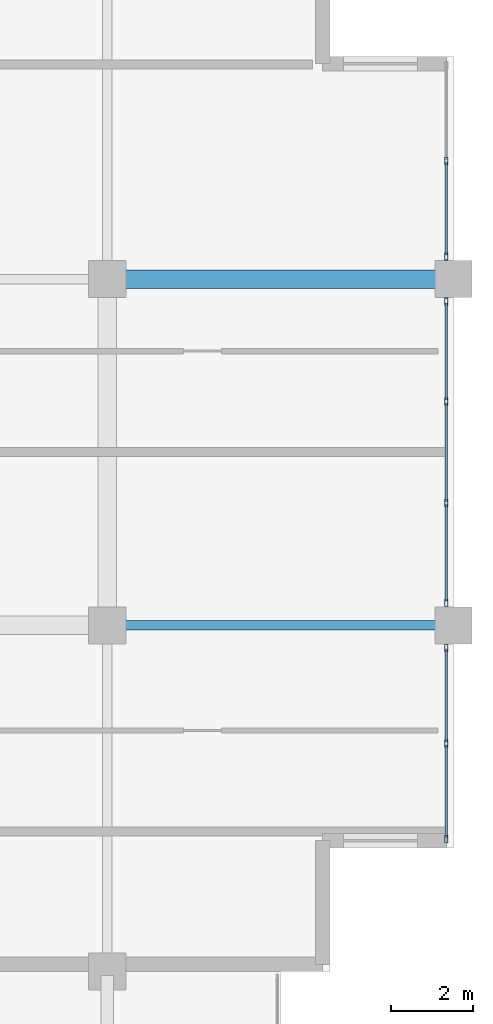
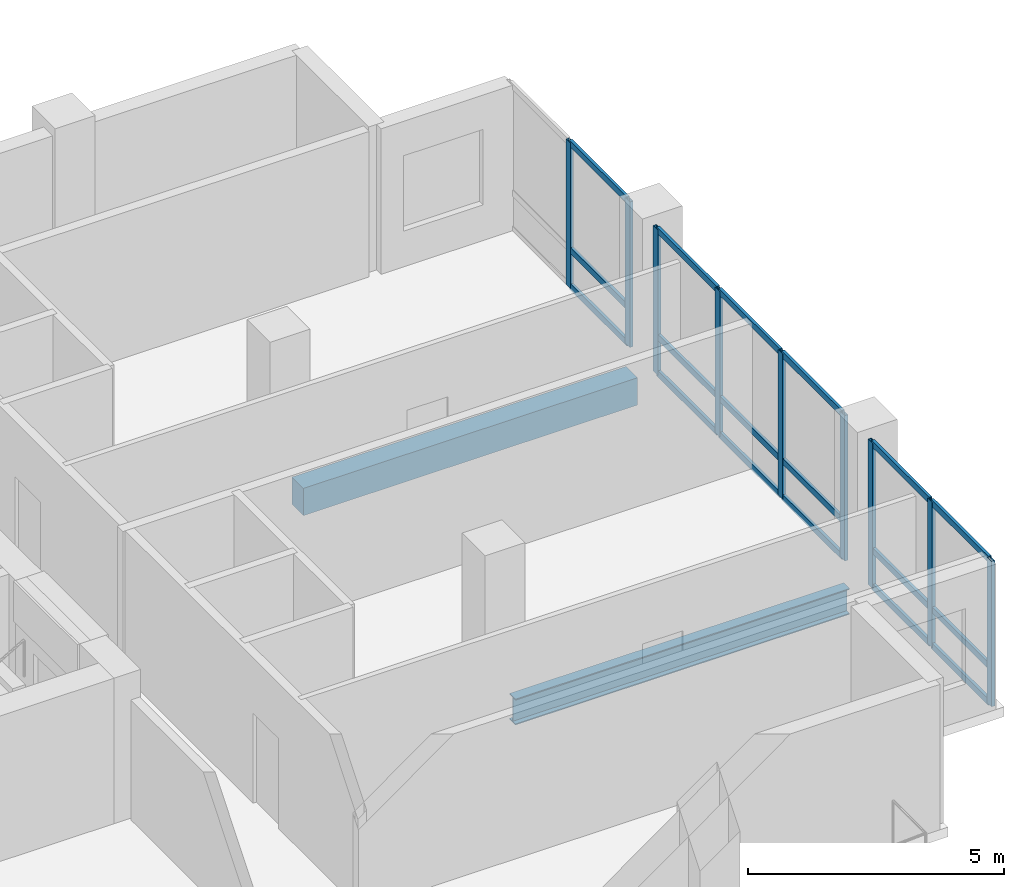
# One storey, part 3 of 16: 27 members, 2 beams, 3 elements without a shape of their own.
"""IFC4 building model written with IfcOpenShell, lengths in metres."""

import ifcopenshell
import ifcopenshell.guid

model = None  # the IFC model being written
_history = None  # IfcOwnerHistory: only IFC2X3 demands one
_inside = {}  # id of a spatial element -> (the spatial element, [elements in it])
_under = {}  # id of a project, library or spatial element -> (it, [spatial elements below it])
_declared = {}  # id of a project -> (the project, [libraries it declares])
_typed = {}  # id of a type object -> (the type object, [elements of that type])
_made_of = {}  # id of a material, layer set ... -> (it, [elements and type objects made of it])


def new_model(schema):
    """Start an empty IFC model of exactly this schema.

    Asked for "IFC4X3", IfcOpenShell would pick the latest addendum, in which some entities
    have other attributes; the version numbers below select the first issue.
    IFC2X3 requires an IfcOwnerHistory on every rooted entity: one is made here for all.
    """
    global model, _history
    if schema == "IFC4X3":
        model = ifcopenshell.file(schema_version=(4, 3, 0, 0))
    else:
        model = ifcopenshell.file(schema=schema)
    _inside.clear()
    _under.clear()
    _declared.clear()
    _typed.clear()
    _made_of.clear()
    _history = None
    if model.schema == "IFC2X3":
        org = make("IfcOrganization", Name="unknown")
        user = make(
            "IfcPersonAndOrganization",
            ThePerson=make("IfcPerson", FamilyName="unknown"),
            TheOrganization=org,
        )
        app = make(
            "IfcApplication",
            ApplicationDeveloper=org,
            Version="unknown",
            ApplicationFullName="unknown",
            ApplicationIdentifier="unknown",
        )
        _history = make(
            "IfcOwnerHistory",
            OwningUser=user,
            OwningApplication=app,
            ChangeAction="ADDED",
            CreationDate=0,
        )
    return model


def make(cls, **values):
    """One entity of the class cls with the attributes given. An attribute that is None is left unset."""
    return model.create_entity(
        cls, **{name: value for name, value in values.items() if value is not None}
    )


def rooted(cls, **values):
    """An entity with a GlobalId (a new one), such as an element, a storey or a relation."""
    return make(cls, GlobalId=ifcopenshell.guid.new(), OwnerHistory=_history, **values)


def si_unit(unit_type, name, prefix=None):
    """IfcSIUnit, for example si_unit("LENGTHUNIT", "METRE", prefix="MILLI")."""
    return make("IfcSIUnit", UnitType=unit_type, Prefix=prefix, Name=name)


def assignment(units):
    """IfcUnitAssignment: the units of a project."""
    return None if units is None else make("IfcUnitAssignment", Units=units)


def point(xyz):
    """IfcCartesianPoint."""
    return None if xyz is None else make("IfcCartesianPoint", Coordinates=xyz)


def direction(xyz):
    """IfcDirection."""
    return None if xyz is None else make("IfcDirection", DirectionRatios=xyz)


def frame(location, z_axis=None, x_axis=None):
    """IfcAxis2Placement3D, a coordinate frame: its origin and axes. An axis left out is left unset."""
    return make(
        "IfcAxis2Placement3D",
        Location=point(location),
        Axis=direction(z_axis),
        RefDirection=direction(x_axis),
    )


def frame_2d(location, x_axis=None):
    """IfcAxis2Placement2D, a coordinate frame in the plane: its origin and x axis."""
    return make(
        "IfcAxis2Placement2D", Location=point(location), RefDirection=direction(x_axis)
    )


def origin():
    """The frame at (0, 0, 0) with its axes left unset."""
    return frame((0.0, 0.0, 0.0))


def origin_2d():
    """The frame at (0, 0) in the plane with its x axis left unset."""
    return frame_2d((0.0, 0.0))


def place(relative_to, where):
    """IfcLocalPlacement: puts the frame where relative to a parent placement (None: the world)."""
    return make(
        "IfcLocalPlacement", PlacementRelTo=relative_to, RelativePlacement=where
    )


def context(
    kind, dimensions, precision=None, world=None, true_north=None, identifier=None
):
    """IfcGeometricRepresentationContext, for example the 3D "Model" context."""
    return make(
        "IfcGeometricRepresentationContext",
        ContextIdentifier=identifier,
        ContextType=kind,
        CoordinateSpaceDimension=dimensions,
        Precision=precision,
        WorldCoordinateSystem=world,
        TrueNorth=true_north,
    )


def subcontext(parent, identifier, kind, view, scale=None):
    """IfcGeometricRepresentationSubContext, for example "Body" below "Model"."""
    return make(
        "IfcGeometricRepresentationSubContext",
        ContextIdentifier=identifier,
        ContextType=kind,
        ParentContext=parent,
        TargetScale=scale,
        TargetView=view,
    )


def project(units=None, contexts=None):
    """IfcProject with its units and contexts."""
    return rooted(
        "IfcProject",
        Name="project",
        RepresentationContexts=contexts,
        UnitsInContext=assignment(units),
    )


def spatial(cls, under=None, at=None, **own):
    """A site, building, storey or space (cls), placed at a placement, below another one or the project."""
    s = rooted(cls, ObjectPlacement=at, **own)
    if under is not None:
        _under.setdefault(under.id(), (under, []))[1].append(s)
    return s


def profile(cls, at=None, kind="AREA", **sizes):
    """A parametric profile (cls). Its sizes go by their IFC names, for example OverallWidth=200.0."""
    return make(cls, ProfileType=kind, Position=at, **sizes)


def rectangle(**sizes):
    """IfcRectangleProfileDef."""
    return profile("IfcRectangleProfileDef", **sizes)


def hollow_rectangle(**sizes):
    """IfcRectangleHollowProfileDef."""
    return profile("IfcRectangleHollowProfileDef", **sizes)


def i_section(**sizes):
    """IfcIShapeProfileDef."""
    return profile("IfcIShapeProfileDef", **sizes)


def extrude(swept, where, along, depth):
    """IfcExtrudedAreaSolid: the profile swept, set in the frame where, extruded along a direction by depth."""
    return make(
        "IfcExtrudedAreaSolid",
        SweptArea=swept,
        Position=where,
        ExtrudedDirection=direction(along),
        Depth=depth,
    )


def shape(context_of_items, identifier, shape_type, items):
    """IfcShapeRepresentation: the items that make up one representation, for example the "Body"."""
    return make(
        "IfcShapeRepresentation",
        ContextOfItems=context_of_items,
        RepresentationIdentifier=identifier,
        RepresentationType=shape_type,
        Items=items,
    )


def material(Name=None, Category=None):
    """IfcMaterial."""
    return make("IfcMaterial", Name=Name, Category=Category)


def layer(
    of_material, thickness, ventilated=None, Name=None, Category=None, Priority=None
):
    """IfcMaterialLayer: one layer of a wall or slab, of a material (None: an air gap)."""
    return make(
        "IfcMaterialLayer",
        Material=of_material,
        LayerThickness=thickness,
        IsVentilated=ventilated,
        Name=Name,
        Category=Category,
        Priority=Priority,
    )


def layer_set(layers, Name=None):
    """IfcMaterialLayerSet."""
    return make("IfcMaterialLayerSet", MaterialLayers=layers, LayerSetName=Name)


def material_profile(
    of_material, cross_section, Name=None, Category=None, Priority=None
):
    """IfcMaterialProfile: a cross section and its material."""
    return make(
        "IfcMaterialProfile",
        Name=Name,
        Material=of_material,
        Profile=cross_section,
        Priority=Priority,
        Category=Category,
    )


def profile_set(profiles, Name=None, composite=None):
    """IfcMaterialProfileSet."""
    return make(
        "IfcMaterialProfileSet",
        Name=Name,
        MaterialProfiles=profiles,
        CompositeProfile=composite,
    )


def made_of(thing, what):
    """Note that an element or type object is made of a material, layer set ...; save() writes the relation."""
    if what is not None:
        _made_of.setdefault(what.id(), (what, []))[1].append(thing)
    return thing


def type_object(cls, material=None, **own):
    """A type object (cls), such as IfcWallType, which elements share."""
    return made_of(rooted(cls, **own), material)


def element(
    cls,
    number,
    at=None,
    inside=None,
    cuts=None,
    type_object=None,
    material=None,
    context=None,
    identifier="Body",
    shape_type=None,
    held_by="IfcProductDefinitionShape",
    body=None,
    shapes=None,
    **own,
):
    """One element of the class cls, such as IfcWall. Its Tag is "e" and its number.

    at: its placement. inside: the storey or other place that contains it. cuts: it is an
    opening in that element (IfcRelVoidsElement). A single representation is given by context,
    identifier, shape_type and body (its items); several are given by shapes. held_by: the class
    of the entity that holds the representations. save() writes the other relations.
    """
    e = rooted(cls, Tag="e%d" % number, ObjectPlacement=at, **own)
    if body is not None:
        shapes = [shape(context, identifier, shape_type, body)]
    if shapes is not None:
        e.Representation = make(held_by, Representations=shapes)
    if inside is not None:
        _inside.setdefault(inside.id(), (inside, []))[1].append(e)
    if cuts is not None:
        rooted(
            "IfcRelVoidsElement", RelatingBuildingElement=cuts, RelatedOpeningElement=e
        )
    if type_object is not None:
        _typed.setdefault(type_object.id(), (type_object, []))[1].append(e)
    return made_of(e, material)


def aggregate(whole, parts):
    """IfcRelAggregates: a whole, such as a stair, and the parts it consists of."""
    return rooted("IfcRelAggregates", RelatingObject=whole, RelatedObjects=parts)


def save(model, path):
    """Write the relations noted so far, then the file.

    IfcRelAggregates (storeys below a building ...), IfcRelContainedInSpatialStructure (elements
    in a storey), IfcRelDefinesByType, IfcRelAssociatesMaterial and IfcRelDeclares: one each for
    every whole, place, type object, material and project.
    """
    for whole, parts in _under.values():
        aggregate(whole, parts)
    for where, things in _inside.values():
        rooted(
            "IfcRelContainedInSpatialStructure",
            RelatedElements=things,
            RelatingStructure=where,
        )
    for kind, things in _typed.values():
        rooted("IfcRelDefinesByType", RelatedObjects=things, RelatingType=kind)
    for what, things in _made_of.values():
        rooted("IfcRelAssociatesMaterial", RelatedObjects=things, RelatingMaterial=what)
    for by, libraries in _declared.values():
        rooted("IfcRelDeclares", RelatingContext=by, RelatedDefinitions=libraries)
    model.write(path)


model = new_model("IFC4")

# Units and contexts
model_context = context("Model", 3, precision=1e-05, world=origin(), true_north=direction((0.0, 1.0)))
body_context = subcontext(model_context, "Body", "Model", "MODEL_VIEW")
ifc_project = project(units=[si_unit("LENGTHUNIT", "METRE"), si_unit("AREAUNIT", "SQUARE_METRE"), si_unit("VOLUMEUNIT", "CUBIC_METRE"), si_unit("PLANEANGLEUNIT", "RADIAN"), si_unit("MASSUNIT", "GRAM", prefix="KILO")], contexts=[model_context])

# Site, building, storey
site_placement = place(None, origin())
site = spatial("IfcSite", under=ifc_project, at=site_placement, CompositionType="ELEMENT")
building_placement = place(site_placement, origin())
building = spatial("IfcBuilding", under=site, at=building_placement, Name="Koriwani Terraces Tower", CompositionType="ELEMENT")
storey_placement = place(building_placement, frame((0.0, 0.0, 245.300048828125)))
storey = spatial("IfcBuildingStorey", under=building, at=storey_placement, Name="L60", CompositionType="ELEMENT", Elevation=245.300048828125)

# Beam
ifc_material_1 = material(Name="Concrete C50/60", Category="concrete")
ifc_material_profile_1 = material_profile(ifc_material_1, rectangle(XDim=0.449951171875, YDim=0.64990234375, at=origin_2d()), Name="Concrete C50/60", Category="LoadBearing")
ifc_profile_set_1 = profile_set([ifc_material_profile_1], Name="Concrete C50/60")
beam_type_1 = type_object("IfcBeamType", Name="BEAM_RC_GRID_450X650", PredefinedType="BEAM", material=ifc_profile_set_1)
beam_1_placement = place(storey_placement, frame((67.6298828125, 25.199951171875, -0.554931640625), z_axis=(1.0, 0.0, 0.0), x_axis=(0.0, 1.0, 0.0)))
element("IfcBeam", 1, at=beam_1_placement, inside=storey, type_object=beam_type_1, Name="L60 Grid Beam D (67.2-75.6m)", PredefinedType="BEAM", context=body_context, shape_type="SweptSolid", body=[
    extrude(rectangle(XDim=0.449951171875, YDim=0.64990234375, at=origin_2d()), origin(), (0.0, 0.0, 1.0), 7.5400390625),
])

# Curtain wall, members
ifc_material_2 = material(Name="Anodised Bronze Aluminium", Category="aluminium")
ifc_layer = layer(ifc_material_2, 0.169921875, Name="Anodised Bronze Aluminium")
ifc_layer_set = layer_set([ifc_layer], Name="Anodised Bronze Aluminium")
curtain_wall_type = type_object("IfcCurtainWallType", Name="CW_RES_ZONE4", PredefinedType="NOTDEFINED", material=ifc_layer_set)
curtain_wall_1_placement = place(storey_placement, origin())
curtain_wall_1 = element("IfcCurtainWall", 2, at=curtain_wall_1_placement, inside=storey, type_object=curtain_wall_type, Name="L60 Unitised Curtain Wall (E_TIP) Bay 1", PredefinedType="NOTDEFINED")
ifc_material_profile_2 = material_profile(ifc_material_2, hollow_rectangle(XDim=0.074951171875, YDim=0.179931640625, WallThickness=0.006103515625, at=origin_2d()), Name="Anodised Bronze Aluminium", Category="LoadBearing")
ifc_profile_set_2 = profile_set([ifc_material_profile_2], Name="Anodised Bronze Aluminium")
member_type_1 = type_object("IfcMemberType", Name="CW_MULLION_180X75", PredefinedType="MULLION", material=ifc_profile_set_2)
member_1_placement = place(storey_placement, frame((75.425048828125, 28.0673828125, 0.0), z_axis=(0.0, 0.0, 1.0), x_axis=(1.0, 0.0, 0.0)))
member_1 = element("IfcMember", 3, at=member_1_placement, type_object=member_type_1, Name="CW-Z4 mullion 2", PredefinedType="MULLION", context=body_context, shape_type="SweptSolid", body=[
    extrude(hollow_rectangle(XDim=0.074951171875, YDim=0.179931640625, WallThickness=0.006103515625, at=origin_2d()), origin(), (0.0, 0.0, 1.0), 3.469970703125),
])
member_2_placement = place(storey_placement, frame((75.425048828125, 25.74755859375, 0.0), z_axis=(0.0, 0.0, 1.0), x_axis=(1.0, 0.0, 0.0)))
member_2 = element("IfcMember", 4, at=member_2_placement, type_object=member_type_1, Name="CW-Z4 mullion 3", PredefinedType="MULLION", context=body_context, shape_type="SweptSolid", body=[
    extrude(hollow_rectangle(XDim=0.074951171875, YDim=0.179931640625, WallThickness=0.006103515625, at=origin_2d()), origin(), (0.0, 0.0, 1.0), 3.469970703125),
])

curtain_wall_2_placement = place(storey_placement, origin())
curtain_wall_2 = element("IfcCurtainWall", 5, at=curtain_wall_2_placement, inside=storey, type_object=curtain_wall_type, Name="L60 Unitised Curtain Wall (E_TIP) Bay 2", PredefinedType="NOTDEFINED")
member_3_placement = place(storey_placement, frame((75.425048828125, 24.652587890625, 0.0), z_axis=(0.0, 0.0, 1.0), x_axis=(1.0, 0.0, 0.0)))
member_3 = element("IfcMember", 6, at=member_3_placement, type_object=member_type_1, Name="CW-Z4 mullion 1", PredefinedType="MULLION", context=body_context, shape_type="SweptSolid", body=[
    extrude(hollow_rectangle(XDim=0.074951171875, YDim=0.179931640625, WallThickness=0.006103515625, at=origin_2d()), origin(), (0.0, 0.0, 1.0), 3.469970703125),
])
member_4_placement = place(storey_placement, frame((75.425048828125, 22.22998046875, 0.0), z_axis=(0.0, 0.0, 1.0), x_axis=(1.0, 0.0, 0.0)))
member_4 = element("IfcMember", 7, at=member_4_placement, type_object=member_type_1, Name="CW-Z4 mullion 2", PredefinedType="MULLION", context=body_context, shape_type="SweptSolid", body=[
    extrude(hollow_rectangle(XDim=0.074951171875, YDim=0.179931640625, WallThickness=0.006103515625, at=origin_2d()), origin(), (0.0, 0.0, 1.0), 3.469970703125),
])
member_5_placement = place(storey_placement, frame((75.425048828125, 19.77001953125, 0.0), z_axis=(0.0, 0.0, 1.0), x_axis=(1.0, 0.0, 0.0)))
member_5 = element("IfcMember", 8, at=member_5_placement, type_object=member_type_1, Name="CW-Z4 mullion 3", PredefinedType="MULLION", context=body_context, shape_type="SweptSolid", body=[
    extrude(hollow_rectangle(XDim=0.074951171875, YDim=0.179931640625, WallThickness=0.006103515625, at=origin_2d()), origin(), (0.0, 0.0, 1.0), 3.469970703125),
])
member_6_placement = place(storey_placement, frame((75.425048828125, 17.347412109375, 0.0), z_axis=(0.0, 0.0, 1.0), x_axis=(1.0, 0.0, 0.0)))
member_6 = element("IfcMember", 9, at=member_6_placement, type_object=member_type_1, Name="CW-Z4 mullion 4", PredefinedType="MULLION", context=body_context, shape_type="SweptSolid", body=[
    extrude(hollow_rectangle(XDim=0.074951171875, YDim=0.179931640625, WallThickness=0.006103515625, at=origin_2d()), origin(), (0.0, 0.0, 1.0), 3.469970703125),
])

curtain_wall_3_placement = place(storey_placement, origin())
curtain_wall_3 = element("IfcCurtainWall", 10, at=curtain_wall_3_placement, inside=storey, type_object=curtain_wall_type, Name="L60 Unitised Curtain Wall (E_TIP) Bay 3", PredefinedType="NOTDEFINED")
member_7_placement = place(storey_placement, frame((75.425048828125, 16.25244140625, 0.0), z_axis=(0.0, 0.0, 1.0), x_axis=(1.0, 0.0, 0.0)))
member_7 = element("IfcMember", 11, at=member_7_placement, type_object=member_type_1, Name="CW-Z4 mullion 1", PredefinedType="MULLION", context=body_context, shape_type="SweptSolid", body=[
    extrude(hollow_rectangle(XDim=0.074951171875, YDim=0.179931640625, WallThickness=0.006103515625, at=origin_2d()), origin(), (0.0, 0.0, 1.0), 3.469970703125),
])
member_8_placement = place(storey_placement, frame((75.425048828125, 13.9326171875, 0.0), z_axis=(0.0, 0.0, 1.0), x_axis=(1.0, 0.0, 0.0)))
member_8 = element("IfcMember", 12, at=member_8_placement, type_object=member_type_1, Name="CW-Z4 mullion 2", PredefinedType="MULLION", context=body_context, shape_type="SweptSolid", body=[
    extrude(hollow_rectangle(XDim=0.074951171875, YDim=0.179931640625, WallThickness=0.006103515625, at=origin_2d()), origin(), (0.0, 0.0, 1.0), 3.469970703125),
])
member_9_placement = place(storey_placement, frame((75.425048828125, 11.612548828125, 0.0), z_axis=(0.0, 0.0, 1.0), x_axis=(1.0, 0.0, 0.0)))
member_9 = element("IfcMember", 13, at=member_9_placement, type_object=member_type_1, Name="CW-Z4 mullion 3", PredefinedType="MULLION", context=body_context, shape_type="SweptSolid", body=[
    extrude(hollow_rectangle(XDim=0.074951171875, YDim=0.179931640625, WallThickness=0.006103515625, at=origin_2d()), origin(), (0.0, 0.0, 1.0), 3.469970703125),
])

# Member
ifc_material_profile_3 = material_profile(ifc_material_2, hollow_rectangle(XDim=0.06494140625, YDim=0.14990234375, WallThickness=0.0048828125, at=origin_2d()), Name="Anodised Bronze Aluminium", Category="LoadBearing")
ifc_profile_set_3 = profile_set([ifc_material_profile_3], Name="Anodised Bronze Aluminium")
member_type_2 = type_object("IfcMemberType", Name="CW_TRANSOM_150X65", PredefinedType="USERDEFINED", material=ifc_profile_set_3)
member_10_placement = place(storey_placement, frame((75.425048828125, 28.030029296875, 0.032470703125), z_axis=(0.0, -1.0, 0.0), x_axis=(1.0, 0.0, 0.0)))
member_10 = element("IfcMember", 14, at=member_10_placement, type_object=member_type_2, Name="CW-Z4 transom 2.1", ObjectType="TRANSOM", PredefinedType="USERDEFINED", context=body_context, shape_type="SweptSolid", body=[
    extrude(hollow_rectangle(XDim=0.06494140625, YDim=0.14990234375, WallThickness=0.0048828125, at=origin_2d()), origin(), (0.0, 0.0, 1.0), 2.2451171875),
])

member_11_placement = place(storey_placement, frame((75.425048828125, 28.030029296875, 0.89990234375), z_axis=(0.0, -1.0, 0.0), x_axis=(1.0, 0.0, 0.0)))
member_11 = element("IfcMember", 15, at=member_11_placement, type_object=member_type_2, Name="CW-Z4 transom 2.2", ObjectType="TRANSOM", PredefinedType="USERDEFINED", context=body_context, shape_type="SweptSolid", body=[
    extrude(hollow_rectangle(XDim=0.06494140625, YDim=0.14990234375, WallThickness=0.0048828125, at=origin_2d()), origin(), (0.0, 0.0, 1.0), 2.2451171875),
])

member_12_placement = place(storey_placement, frame((75.425048828125, 28.030029296875, 3.4375), z_axis=(0.0, -1.0, 0.0), x_axis=(1.0, 0.0, 0.0)))
member_12 = element("IfcMember", 16, at=member_12_placement, type_object=member_type_2, Name="CW-Z4 transom 2.3", ObjectType="TRANSOM", PredefinedType="USERDEFINED", context=body_context, shape_type="SweptSolid", body=[
    extrude(hollow_rectangle(XDim=0.06494140625, YDim=0.14990234375, WallThickness=0.0048828125, at=origin_2d()), origin(), (0.0, 0.0, 1.0), 2.2451171875),
])

aggregate(curtain_wall_1, [member_1, member_2, member_10, member_11, member_12])

member_13_placement = place(storey_placement, frame((75.425048828125, 24.614990234375, 0.032470703125), z_axis=(0.0, -1.0, 0.0), x_axis=(1.0, 0.0, 0.0)))
member_13 = element("IfcMember", 17, at=member_13_placement, type_object=member_type_2, Name="CW-Z4 transom 1.1", ObjectType="TRANSOM", PredefinedType="USERDEFINED", context=body_context, shape_type="SweptSolid", body=[
    extrude(hollow_rectangle(XDim=0.06494140625, YDim=0.14990234375, WallThickness=0.0048828125, at=origin_2d()), origin(), (0.0, 0.0, 1.0), 2.347412109375),
])

member_14_placement = place(storey_placement, frame((75.425048828125, 24.614990234375, 0.89990234375), z_axis=(0.0, -1.0, 0.0), x_axis=(1.0, 0.0, 0.0)))
member_14 = element("IfcMember", 18, at=member_14_placement, type_object=member_type_2, Name="CW-Z4 transom 1.2", ObjectType="TRANSOM", PredefinedType="USERDEFINED", context=body_context, shape_type="SweptSolid", body=[
    extrude(hollow_rectangle(XDim=0.06494140625, YDim=0.14990234375, WallThickness=0.0048828125, at=origin_2d()), origin(), (0.0, 0.0, 1.0), 2.347412109375),
])

member_15_placement = place(storey_placement, frame((75.425048828125, 24.614990234375, 3.4375), z_axis=(0.0, -1.0, 0.0), x_axis=(1.0, 0.0, 0.0)))
member_15 = element("IfcMember", 19, at=member_15_placement, type_object=member_type_2, Name="CW-Z4 transom 1.3", ObjectType="TRANSOM", PredefinedType="USERDEFINED", context=body_context, shape_type="SweptSolid", body=[
    extrude(hollow_rectangle(XDim=0.06494140625, YDim=0.14990234375, WallThickness=0.0048828125, at=origin_2d()), origin(), (0.0, 0.0, 1.0), 2.347412109375),
])

member_16_placement = place(storey_placement, frame((75.425048828125, 22.1923828125, 0.032470703125), z_axis=(0.0, -1.0, 0.0), x_axis=(1.0, 0.0, 0.0)))
member_16 = element("IfcMember", 20, at=member_16_placement, type_object=member_type_2, Name="CW-Z4 transom 2.1", ObjectType="TRANSOM", PredefinedType="USERDEFINED", context=body_context, shape_type="SweptSolid", body=[
    extrude(hollow_rectangle(XDim=0.06494140625, YDim=0.14990234375, WallThickness=0.0048828125, at=origin_2d()), origin(), (0.0, 0.0, 1.0), 2.384765625),
])

member_17_placement = place(storey_placement, frame((75.425048828125, 22.1923828125, 0.89990234375), z_axis=(0.0, -1.0, 0.0), x_axis=(1.0, 0.0, 0.0)))
member_17 = element("IfcMember", 21, at=member_17_placement, type_object=member_type_2, Name="CW-Z4 transom 2.2", ObjectType="TRANSOM", PredefinedType="USERDEFINED", context=body_context, shape_type="SweptSolid", body=[
    extrude(hollow_rectangle(XDim=0.06494140625, YDim=0.14990234375, WallThickness=0.0048828125, at=origin_2d()), origin(), (0.0, 0.0, 1.0), 2.384765625),
])

member_18_placement = place(storey_placement, frame((75.425048828125, 22.1923828125, 3.4375), z_axis=(0.0, -1.0, 0.0), x_axis=(1.0, 0.0, 0.0)))
member_18 = element("IfcMember", 22, at=member_18_placement, type_object=member_type_2, Name="CW-Z4 transom 2.3", ObjectType="TRANSOM", PredefinedType="USERDEFINED", context=body_context, shape_type="SweptSolid", body=[
    extrude(hollow_rectangle(XDim=0.06494140625, YDim=0.14990234375, WallThickness=0.0048828125, at=origin_2d()), origin(), (0.0, 0.0, 1.0), 2.384765625),
])

member_19_placement = place(storey_placement, frame((75.425048828125, 19.732421875, 0.032470703125), z_axis=(0.0, -1.0, 0.0), x_axis=(1.0, 0.0, 0.0)))
member_19 = element("IfcMember", 23, at=member_19_placement, type_object=member_type_2, Name="CW-Z4 transom 3.1", ObjectType="TRANSOM", PredefinedType="USERDEFINED", context=body_context, shape_type="SweptSolid", body=[
    extrude(hollow_rectangle(XDim=0.06494140625, YDim=0.14990234375, WallThickness=0.0048828125, at=origin_2d()), origin(), (0.0, 0.0, 1.0), 2.347412109375),
])

member_20_placement = place(storey_placement, frame((75.425048828125, 19.732421875, 0.89990234375), z_axis=(0.0, -1.0, 0.0), x_axis=(1.0, 0.0, 0.0)))
member_20 = element("IfcMember", 24, at=member_20_placement, type_object=member_type_2, Name="CW-Z4 transom 3.2", ObjectType="TRANSOM", PredefinedType="USERDEFINED", context=body_context, shape_type="SweptSolid", body=[
    extrude(hollow_rectangle(XDim=0.06494140625, YDim=0.14990234375, WallThickness=0.0048828125, at=origin_2d()), origin(), (0.0, 0.0, 1.0), 2.347412109375),
])

member_21_placement = place(storey_placement, frame((75.425048828125, 19.732421875, 3.4375), z_axis=(0.0, -1.0, 0.0), x_axis=(1.0, 0.0, 0.0)))
member_21 = element("IfcMember", 25, at=member_21_placement, type_object=member_type_2, Name="CW-Z4 transom 3.3", ObjectType="TRANSOM", PredefinedType="USERDEFINED", context=body_context, shape_type="SweptSolid", body=[
    extrude(hollow_rectangle(XDim=0.06494140625, YDim=0.14990234375, WallThickness=0.0048828125, at=origin_2d()), origin(), (0.0, 0.0, 1.0), 2.347412109375),
])

aggregate(curtain_wall_2, [member_3, member_4, member_5, member_6, member_13, member_14, member_15, member_16, member_17, member_18, member_19, member_20, member_21])

member_22_placement = place(storey_placement, frame((75.425048828125, 16.215087890625, 0.032470703125), z_axis=(0.0, -1.0, 0.0), x_axis=(1.0, 0.0, 0.0)))
member_22 = element("IfcMember", 26, at=member_22_placement, type_object=member_type_2, Name="CW-Z4 transom 1.1", ObjectType="TRANSOM", PredefinedType="USERDEFINED", context=body_context, shape_type="SweptSolid", body=[
    extrude(hollow_rectangle(XDim=0.06494140625, YDim=0.14990234375, WallThickness=0.0048828125, at=origin_2d()), origin(), (0.0, 0.0, 1.0), 2.2451171875),
])

member_23_placement = place(storey_placement, frame((75.425048828125, 16.215087890625, 0.89990234375), z_axis=(0.0, -1.0, 0.0), x_axis=(1.0, 0.0, 0.0)))
member_23 = element("IfcMember", 27, at=member_23_placement, type_object=member_type_2, Name="CW-Z4 transom 1.2", ObjectType="TRANSOM", PredefinedType="USERDEFINED", context=body_context, shape_type="SweptSolid", body=[
    extrude(hollow_rectangle(XDim=0.06494140625, YDim=0.14990234375, WallThickness=0.0048828125, at=origin_2d()), origin(), (0.0, 0.0, 1.0), 2.2451171875),
])

member_24_placement = place(storey_placement, frame((75.425048828125, 16.215087890625, 3.4375), z_axis=(0.0, -1.0, 0.0), x_axis=(1.0, 0.0, 0.0)))
member_24 = element("IfcMember", 28, at=member_24_placement, type_object=member_type_2, Name="CW-Z4 transom 1.3", ObjectType="TRANSOM", PredefinedType="USERDEFINED", context=body_context, shape_type="SweptSolid", body=[
    extrude(hollow_rectangle(XDim=0.06494140625, YDim=0.14990234375, WallThickness=0.0048828125, at=origin_2d()), origin(), (0.0, 0.0, 1.0), 2.2451171875),
])

member_25_placement = place(storey_placement, frame((75.425048828125, 13.89501953125, 0.032470703125), z_axis=(0.0, -1.0, 0.0), x_axis=(1.0, 0.0, 0.0)))
member_25 = element("IfcMember", 29, at=member_25_placement, type_object=member_type_2, Name="CW-Z4 transom 2.1", ObjectType="TRANSOM", PredefinedType="USERDEFINED", context=body_context, shape_type="SweptSolid", body=[
    extrude(hollow_rectangle(XDim=0.06494140625, YDim=0.14990234375, WallThickness=0.0048828125, at=origin_2d()), origin(), (0.0, 0.0, 1.0), 2.2451171875),
])

member_26_placement = place(storey_placement, frame((75.425048828125, 13.89501953125, 0.89990234375), z_axis=(0.0, -1.0, 0.0), x_axis=(1.0, 0.0, 0.0)))
member_26 = element("IfcMember", 30, at=member_26_placement, type_object=member_type_2, Name="CW-Z4 transom 2.2", ObjectType="TRANSOM", PredefinedType="USERDEFINED", context=body_context, shape_type="SweptSolid", body=[
    extrude(hollow_rectangle(XDim=0.06494140625, YDim=0.14990234375, WallThickness=0.0048828125, at=origin_2d()), origin(), (0.0, 0.0, 1.0), 2.2451171875),
])

member_27_placement = place(storey_placement, frame((75.425048828125, 13.89501953125, 3.4375), z_axis=(0.0, -1.0, 0.0), x_axis=(1.0, 0.0, 0.0)))
member_27 = element("IfcMember", 31, at=member_27_placement, type_object=member_type_2, Name="CW-Z4 transom 2.3", ObjectType="TRANSOM", PredefinedType="USERDEFINED", context=body_context, shape_type="SweptSolid", body=[
    extrude(hollow_rectangle(XDim=0.06494140625, YDim=0.14990234375, WallThickness=0.0048828125, at=origin_2d()), origin(), (0.0, 0.0, 1.0), 2.2451171875),
])

aggregate(curtain_wall_3, [member_7, member_8, member_9, member_22, member_23, member_24, member_25, member_26, member_27])

# Beam
ifc_material_3 = material(Name="Steel ASTM A572 Grade 50", Category="steel")
ifc_material_profile_4 = material_profile(ifc_material_3, i_section(OverallWidth=0.23095703125, OverallDepth=0.616943359375, WebThickness=0.015380859375, FlangeThickness=0.0244140625, at=origin_2d()), Name="Steel ASTM A572 Grade 50", Category="LoadBearing")
ifc_profile_set_4 = profile_set([ifc_material_profile_4], Name="Steel ASTM A572 Grade 50")
beam_type_2 = type_object("IfcBeamType", Name="STEEL_BEAM_W610X195", PredefinedType="BEAM", material=ifc_profile_set_4)
beam_2_placement = place(storey_placement, frame((67.6298828125, 16.800048828125, -0.53857421875), z_axis=(1.0, 0.0, 0.0), x_axis=(0.0, 1.0, 0.0)))
element("IfcBeam", 32, at=beam_2_placement, inside=storey, type_object=beam_type_2, Name="L60 Grid Beam C (67.2-75.6m)", PredefinedType="BEAM", context=body_context, shape_type="SweptSolid", body=[
    extrude(i_section(OverallWidth=0.23095703125, OverallDepth=0.616943359375, WebThickness=0.015380859375, FlangeThickness=0.0244140625, at=origin_2d()), origin(), (0.0, 0.0, 1.0), 7.5400390625),
])

save(model, "model.ifc")
